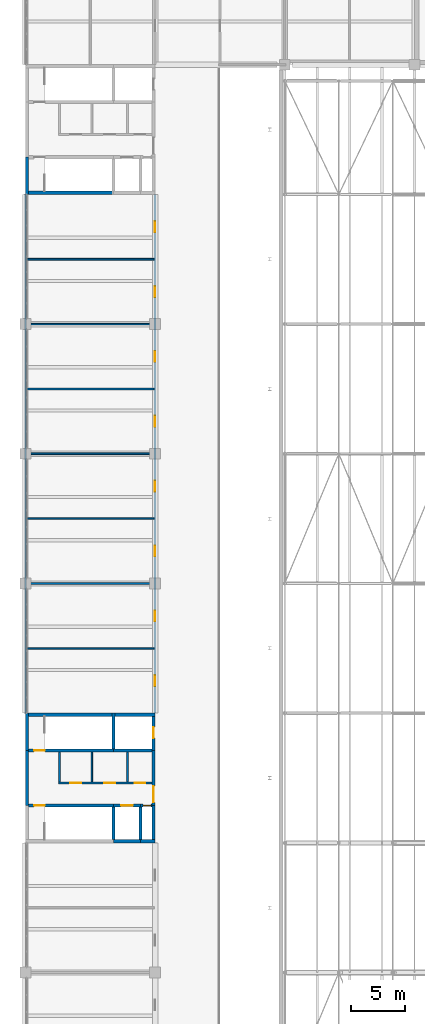
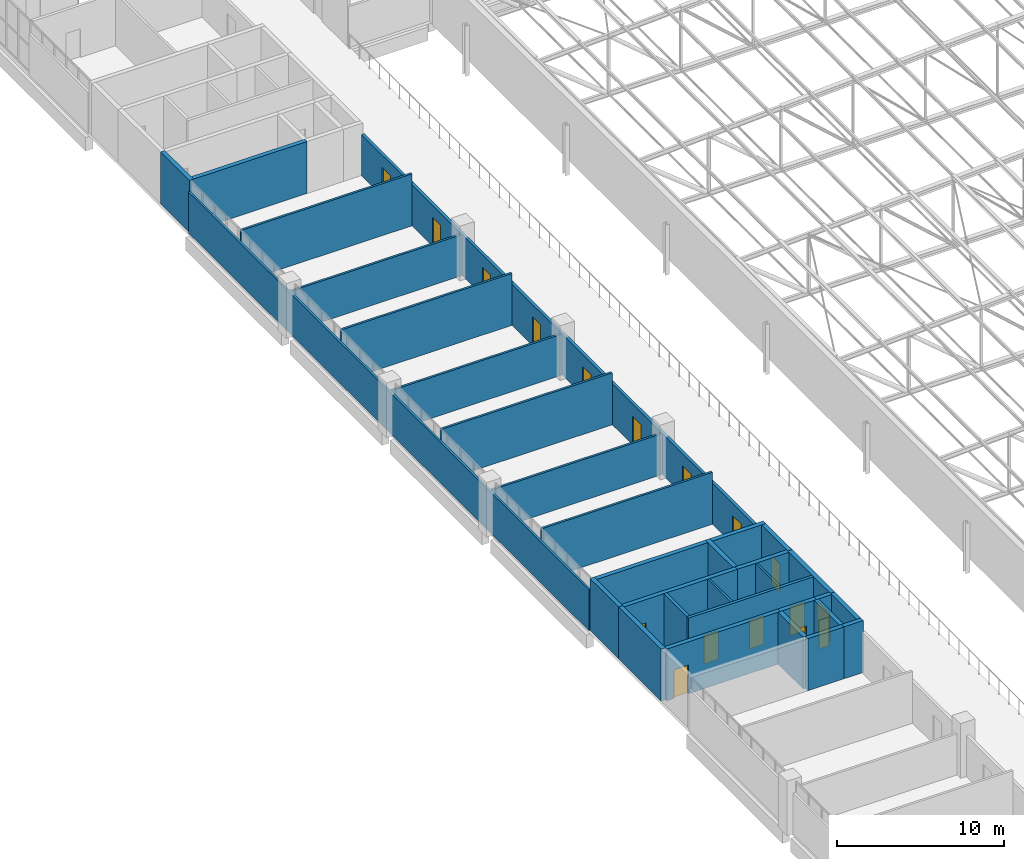
# One storey, part 146 of 156: 32 walls, 17 doors, 17 openings.
"""IFC4 building model written with IfcOpenShell, lengths in metres."""

import ifcopenshell
import ifcopenshell.guid

model = None  # the IFC model being written
_history = None  # IfcOwnerHistory: only IFC2X3 demands one
_inside = {}  # id of a spatial element -> (the spatial element, [elements in it])
_under = {}  # id of a project, library or spatial element -> (it, [spatial elements below it])
_declared = {}  # id of a project -> (the project, [libraries it declares])
_typed = {}  # id of a type object -> (the type object, [elements of that type])
_made_of = {}  # id of a material, layer set ... -> (it, [elements and type objects made of it])


def new_model(schema):
    """Start an empty IFC model of exactly this schema.

    Asked for "IFC4X3", IfcOpenShell would pick the latest addendum, in which some entities
    have other attributes; the version numbers below select the first issue.
    IFC2X3 requires an IfcOwnerHistory on every rooted entity: one is made here for all.
    """
    global model, _history
    if schema == "IFC4X3":
        model = ifcopenshell.file(schema_version=(4, 3, 0, 0))
    else:
        model = ifcopenshell.file(schema=schema)
    _inside.clear()
    _under.clear()
    _declared.clear()
    _typed.clear()
    _made_of.clear()
    _history = None
    if model.schema == "IFC2X3":
        org = make("IfcOrganization", Name="unknown")
        user = make(
            "IfcPersonAndOrganization",
            ThePerson=make("IfcPerson", FamilyName="unknown"),
            TheOrganization=org,
        )
        app = make(
            "IfcApplication",
            ApplicationDeveloper=org,
            Version="unknown",
            ApplicationFullName="unknown",
            ApplicationIdentifier="unknown",
        )
        _history = make(
            "IfcOwnerHistory",
            OwningUser=user,
            OwningApplication=app,
            ChangeAction="ADDED",
            CreationDate=0,
        )
    return model


def make(cls, **values):
    """One entity of the class cls with the attributes given. An attribute that is None is left unset."""
    return model.create_entity(
        cls, **{name: value for name, value in values.items() if value is not None}
    )


def rooted(cls, **values):
    """An entity with a GlobalId (a new one), such as an element, a storey or a relation."""
    return make(cls, GlobalId=ifcopenshell.guid.new(), OwnerHistory=_history, **values)


def si_unit(unit_type, name, prefix=None):
    """IfcSIUnit, for example si_unit("LENGTHUNIT", "METRE", prefix="MILLI")."""
    return make("IfcSIUnit", UnitType=unit_type, Prefix=prefix, Name=name)


def assignment(units):
    """IfcUnitAssignment: the units of a project."""
    return None if units is None else make("IfcUnitAssignment", Units=units)


def point(xyz):
    """IfcCartesianPoint."""
    return None if xyz is None else make("IfcCartesianPoint", Coordinates=xyz)


def direction(xyz):
    """IfcDirection."""
    return None if xyz is None else make("IfcDirection", DirectionRatios=xyz)


def frame(location, z_axis=None, x_axis=None):
    """IfcAxis2Placement3D, a coordinate frame: its origin and axes. An axis left out is left unset."""
    return make(
        "IfcAxis2Placement3D",
        Location=point(location),
        Axis=direction(z_axis),
        RefDirection=direction(x_axis),
    )


def frame_2d(location, x_axis=None):
    """IfcAxis2Placement2D, a coordinate frame in the plane: its origin and x axis."""
    return make(
        "IfcAxis2Placement2D", Location=point(location), RefDirection=direction(x_axis)
    )


def origin():
    """The frame at (0, 0, 0) with its axes left unset."""
    return frame((0.0, 0.0, 0.0))


def place(relative_to, where):
    """IfcLocalPlacement: puts the frame where relative to a parent placement (None: the world)."""
    return make(
        "IfcLocalPlacement", PlacementRelTo=relative_to, RelativePlacement=where
    )


def context(
    kind, dimensions, precision=None, world=None, true_north=None, identifier=None
):
    """IfcGeometricRepresentationContext, for example the 3D "Model" context."""
    return make(
        "IfcGeometricRepresentationContext",
        ContextIdentifier=identifier,
        ContextType=kind,
        CoordinateSpaceDimension=dimensions,
        Precision=precision,
        WorldCoordinateSystem=world,
        TrueNorth=true_north,
    )


def subcontext(parent, identifier, kind, view, scale=None):
    """IfcGeometricRepresentationSubContext, for example "Body" below "Model"."""
    return make(
        "IfcGeometricRepresentationSubContext",
        ContextIdentifier=identifier,
        ContextType=kind,
        ParentContext=parent,
        TargetScale=scale,
        TargetView=view,
    )


def project(units=None, contexts=None):
    """IfcProject with its units and contexts."""
    return rooted(
        "IfcProject",
        Name="project",
        RepresentationContexts=contexts,
        UnitsInContext=assignment(units),
    )


def spatial(cls, under=None, at=None, **own):
    """A site, building, storey or space (cls), placed at a placement, below another one or the project."""
    s = rooted(cls, ObjectPlacement=at, **own)
    if under is not None:
        _under.setdefault(under.id(), (under, []))[1].append(s)
    return s


def profile(cls, at=None, kind="AREA", **sizes):
    """A parametric profile (cls). Its sizes go by their IFC names, for example OverallWidth=200.0."""
    return make(cls, ProfileType=kind, Position=at, **sizes)


def rectangle(**sizes):
    """IfcRectangleProfileDef."""
    return profile("IfcRectangleProfileDef", **sizes)


def extrude(swept, where, along, depth):
    """IfcExtrudedAreaSolid: the profile swept, set in the frame where, extruded along a direction by depth."""
    return make(
        "IfcExtrudedAreaSolid",
        SweptArea=swept,
        Position=where,
        ExtrudedDirection=direction(along),
        Depth=depth,
    )


def shape(context_of_items, identifier, shape_type, items):
    """IfcShapeRepresentation: the items that make up one representation, for example the "Body"."""
    return make(
        "IfcShapeRepresentation",
        ContextOfItems=context_of_items,
        RepresentationIdentifier=identifier,
        RepresentationType=shape_type,
        Items=items,
    )


def material(Name=None, Category=None):
    """IfcMaterial."""
    return make("IfcMaterial", Name=Name, Category=Category)


def layer(
    of_material, thickness, ventilated=None, Name=None, Category=None, Priority=None
):
    """IfcMaterialLayer: one layer of a wall or slab, of a material (None: an air gap)."""
    return make(
        "IfcMaterialLayer",
        Material=of_material,
        LayerThickness=thickness,
        IsVentilated=ventilated,
        Name=Name,
        Category=Category,
        Priority=Priority,
    )


def layer_set(layers, Name=None):
    """IfcMaterialLayerSet."""
    return make("IfcMaterialLayerSet", MaterialLayers=layers, LayerSetName=Name)


def made_of(thing, what):
    """Note that an element or type object is made of a material, layer set ...; save() writes the relation."""
    if what is not None:
        _made_of.setdefault(what.id(), (what, []))[1].append(thing)
    return thing


def type_object(cls, material=None, **own):
    """A type object (cls), such as IfcWallType, which elements share."""
    return made_of(rooted(cls, **own), material)


def element(
    cls,
    number,
    at=None,
    inside=None,
    cuts=None,
    type_object=None,
    material=None,
    context=None,
    identifier="Body",
    shape_type=None,
    held_by="IfcProductDefinitionShape",
    body=None,
    shapes=None,
    **own,
):
    """One element of the class cls, such as IfcWall. Its Tag is "e" and its number.

    at: its placement. inside: the storey or other place that contains it. cuts: it is an
    opening in that element (IfcRelVoidsElement). A single representation is given by context,
    identifier, shape_type and body (its items); several are given by shapes. held_by: the class
    of the entity that holds the representations. save() writes the other relations.
    """
    e = rooted(cls, Tag="e%d" % number, ObjectPlacement=at, **own)
    if body is not None:
        shapes = [shape(context, identifier, shape_type, body)]
    if shapes is not None:
        e.Representation = make(held_by, Representations=shapes)
    if inside is not None:
        _inside.setdefault(inside.id(), (inside, []))[1].append(e)
    if cuts is not None:
        rooted(
            "IfcRelVoidsElement", RelatingBuildingElement=cuts, RelatedOpeningElement=e
        )
    if type_object is not None:
        _typed.setdefault(type_object.id(), (type_object, []))[1].append(e)
    return made_of(e, material)


def fill(opening, filler):
    """IfcRelFillsElement: the door or window that sits in an opening."""
    return rooted(
        "IfcRelFillsElement",
        RelatingOpeningElement=opening,
        RelatedBuildingElement=filler,
    )


def aggregate(whole, parts):
    """IfcRelAggregates: a whole, such as a stair, and the parts it consists of."""
    return rooted("IfcRelAggregates", RelatingObject=whole, RelatedObjects=parts)


def save(model, path):
    """Write the relations noted so far, then the file.

    IfcRelAggregates (storeys below a building ...), IfcRelContainedInSpatialStructure (elements
    in a storey), IfcRelDefinesByType, IfcRelAssociatesMaterial and IfcRelDeclares: one each for
    every whole, place, type object, material and project.
    """
    for whole, parts in _under.values():
        aggregate(whole, parts)
    for where, things in _inside.values():
        rooted(
            "IfcRelContainedInSpatialStructure",
            RelatedElements=things,
            RelatingStructure=where,
        )
    for kind, things in _typed.values():
        rooted("IfcRelDefinesByType", RelatedObjects=things, RelatingType=kind)
    for what, things in _made_of.values():
        rooted("IfcRelAssociatesMaterial", RelatedObjects=things, RelatingMaterial=what)
    for by, libraries in _declared.values():
        rooted("IfcRelDeclares", RelatingContext=by, RelatedDefinitions=libraries)
    model.write(path)


model = new_model("IFC4")

# Units and contexts
model_context = context("Model", 3, precision=1e-05, world=origin(), true_north=direction((0.0, 1.0)))
body_context = subcontext(model_context, "Body", "Model", "MODEL_VIEW")
ifc_project = project(units=[si_unit("LENGTHUNIT", "METRE"), si_unit("AREAUNIT", "SQUARE_METRE"), si_unit("VOLUMEUNIT", "CUBIC_METRE"), si_unit("PLANEANGLEUNIT", "RADIAN"), si_unit("MASSUNIT", "GRAM", prefix="KILO")], contexts=[model_context])

# Site, building, storey
site_placement = place(None, origin())
site = spatial("IfcSite", under=ifc_project, at=site_placement, CompositionType="ELEMENT")
building_placement = place(site_placement, origin())
building = spatial("IfcBuilding", under=site, at=building_placement, Name="Lilac Gate Convention Centre", CompositionType="ELEMENT")
storey_placement = place(building_placement, frame((0.0, 0.0, 17.0)))
storey = spatial("IfcBuildingStorey", under=building, at=storey_placement, Name="L03", CompositionType="ELEMENT", Elevation=17.0)

# Walls
ifc_material_1 = material(Name="Fire-rated gypsum board on steel stud", Category="steel")
ifc_layer_1 = layer(ifc_material_1, 0.14990234375)
ifc_layer_set_1 = layer_set([ifc_layer_1], Name="Fire-rated gypsum board on steel stud")
wall_type_1 = type_object("IfcWallType", Name="Partition 150 fire-rated gypsum board EI 60", PredefinedType="PARTITIONING", material=ifc_layer_set_1)
wall_1_placement = place(storey_placement, frame((6.074951171875, 168.0, 0.0), z_axis=(0.0, 0.0, 1.0), x_axis=(1.0, 0.0, 0.0)))
element("IfcWall", 1, at=wall_1_placement, inside=storey, type_object=wall_type_1, Name="Partition 150 fire-rated gypsum board EI 60", PredefinedType="PARTITIONING", context=body_context, shape_type="SweptSolid", body=[
    extrude(rectangle(XDim=11.824951171875, YDim=0.14990234375, at=frame_2d((5.91259765625, 0.0))), origin(), (0.0, 0.0, 1.0), 3.800048828125),
])
wall_2_placement = place(storey_placement, frame((6.074951171875, 174.0, 0.0), z_axis=(0.0, 0.0, 1.0), x_axis=(1.0, 0.0, 0.0)))
element("IfcWall", 2, at=wall_2_placement, inside=storey, type_object=wall_type_1, Name="Partition 150 fire-rated gypsum board EI 60", PredefinedType="PARTITIONING", context=body_context, shape_type="SweptSolid", body=[
    extrude(rectangle(XDim=11.824951171875, YDim=0.14990234375, at=frame_2d((5.91259765625, 0.0))), origin(), (0.0, 0.0, 1.0), 3.0),
])
wall_3_placement = place(storey_placement, frame((6.074951171875, 180.0, 0.0), z_axis=(0.0, 0.0, 1.0), x_axis=(1.0, 0.0, 0.0)))
element("IfcWall", 3, at=wall_3_placement, inside=storey, type_object=wall_type_1, Name="Partition 150 fire-rated gypsum board EI 60", PredefinedType="PARTITIONING", context=body_context, shape_type="SweptSolid", body=[
    extrude(rectangle(XDim=11.824951171875, YDim=0.14990234375, at=frame_2d((5.91259765625, 0.0))), origin(), (0.0, 0.0, 1.0), 3.800048828125),
])
wall_4_placement = place(storey_placement, frame((6.074951171875, 186.0, 0.0), z_axis=(0.0, 0.0, 1.0), x_axis=(1.0, 0.0, 0.0)))
element("IfcWall", 4, at=wall_4_placement, inside=storey, type_object=wall_type_1, Name="Partition 150 fire-rated gypsum board EI 60", PredefinedType="PARTITIONING", context=body_context, shape_type="SweptSolid", body=[
    extrude(rectangle(XDim=11.824951171875, YDim=0.14990234375, at=frame_2d((5.91259765625, 0.0))), origin(), (0.0, 0.0, 1.0), 3.0),
])
wall_5_placement = place(storey_placement, frame((6.074951171875, 192.0, 0.0), z_axis=(0.0, 0.0, 1.0), x_axis=(1.0, 0.0, 0.0)))
element("IfcWall", 5, at=wall_5_placement, inside=storey, type_object=wall_type_1, Name="Partition 150 fire-rated gypsum board EI 60", PredefinedType="PARTITIONING", context=body_context, shape_type="SweptSolid", body=[
    extrude(rectangle(XDim=11.824951171875, YDim=0.14990234375, at=frame_2d((5.91259765625, 0.0))), origin(), (0.0, 0.0, 1.0), 3.800048828125),
])
wall_6_placement = place(storey_placement, frame((6.074951171875, 198.0, 0.0), z_axis=(0.0, 0.0, 1.0), x_axis=(1.0, 0.0, 0.0)))
element("IfcWall", 6, at=wall_6_placement, inside=storey, type_object=wall_type_1, Name="Partition 150 fire-rated gypsum board EI 60", PredefinedType="PARTITIONING", context=body_context, shape_type="SweptSolid", body=[
    extrude(rectangle(XDim=11.824951171875, YDim=0.14990234375, at=frame_2d((5.91259765625, 0.0))), origin(), (0.0, 0.0, 1.0), 3.0),
])
wall_7_placement = place(storey_placement, frame((6.074951171875, 204.0, 0.0), z_axis=(0.0, 0.0, 1.0), x_axis=(1.0, 0.0, 0.0)))
element("IfcWall", 7, at=wall_7_placement, inside=storey, type_object=wall_type_1, Name="Partition 150 fire-rated gypsum board EI 60", PredefinedType="PARTITIONING", context=body_context, shape_type="SweptSolid", body=[
    extrude(rectangle(XDim=11.824951171875, YDim=0.14990234375, at=frame_2d((5.91259765625, 0.0))), origin(), (0.0, 0.0, 1.0), 3.800048828125),
])
wall_8_placement = place(storey_placement, frame((6.0, 162.0, 0.0), z_axis=(0.0, 0.0, 1.0), x_axis=(0.0, 1.0, 0.0)))
element("IfcWall", 8, at=wall_8_placement, inside=storey, type_object=wall_type_1, Name="Partition 150 fire-rated gypsum board EI 60", PredefinedType="PARTITIONING", context=body_context, shape_type="SweptSolid", body=[
    extrude(rectangle(XDim=48.0, YDim=0.14990234375, at=frame_2d((24.0, 0.0))), origin(), (0.0, 0.0, 1.0), 3.0),
])
for number, where, z_axis, x_axis, name in (
    (9, (12.14990234375, 155.64990234375, 0.0), (0.0, 0.0, 1.0), (0.0, 1.0, 0.0), "Partition 150 fire-rated gypsum board EI 60"),
    (10, (15.449951171875, 155.64990234375, 0.0), (0.0, 0.0, 1.0), (0.0, 1.0, 0.0), "Partition 150 fire-rated gypsum board EI 60"),
):
    element("IfcWall", number, at=place(storey_placement, frame(where, z_axis=z_axis, x_axis=x_axis)), inside=storey, type_object=wall_type_1, Name=name, PredefinedType="PARTITIONING", context=body_context, shape_type="SweptSolid", body=[
        extrude(rectangle(XDim=2.75, YDim=0.14990234375, at=frame_2d((1.375, 0.0))), origin(), (0.0, 0.0, 1.0), 3.800048828125),
    ])

# Wall, openings, doors
ifc_material_2 = material(Name="Clay brick masonry", Category="masonry")
ifc_layer_2 = layer(ifc_material_2, 0.199951171875)
ifc_layer_set_2 = layer_set([ifc_layer_2], Name="Clay brick masonry")
wall_type_2 = type_object("IfcWallType", Name="Partition 200 brick EI 60", PredefinedType="PARTITIONING", material=ifc_layer_set_2)
wall_9_placement = place(storey_placement, frame((9.050048828125, 155.550048828125, 0.0), z_axis=(0.0, 0.0, 1.0), x_axis=(1.0, 0.0, 0.0)))
wall_9 = element("IfcWall", 11, at=wall_9_placement, inside=storey, type_object=wall_type_2, Name="Partition 200 brick EI 60", PredefinedType="PARTITIONING", context=body_context, shape_type="SweptSolid", body=[
    extrude(rectangle(XDim=8.64990234375, YDim=0.199951171875, at=frame_2d((4.324951171875, 0.0))), origin(), (0.0, 0.0, 1.0), 3.800048828125),
])
opening_1_placement = place(wall_9_placement, frame((1.10009765625, 0.0, 0.0)))
opening_1 = element("IfcOpeningElement", 12, at=opening_1_placement, cuts=wall_9, Name="Opening L03-036", PredefinedType="OPENING", context=body_context, shape_type="SweptSolid", body=[
    extrude(rectangle(XDim=1.0, YDim=2.10009765625, at=frame_2d((0.5, 1.050048828125))), frame((0.0, 0.10986328125, 0.0), z_axis=(0.0, -1.0, 0.0), x_axis=(1.0, 0.0, 0.0)), (0.0, 0.0, 1.0), 0.219970703125),
])
opening_2_placement = place(wall_9_placement, frame((4.25, 0.0, 0.0)))
opening_2 = element("IfcOpeningElement", 13, at=opening_2_placement, cuts=wall_9, Name="Opening L03-037", PredefinedType="OPENING", context=body_context, shape_type="SweptSolid", body=[
    extrude(rectangle(XDim=1.0, YDim=2.10009765625, at=frame_2d((0.5, 1.050048828125))), frame((0.0, 0.10986328125, 0.0), z_axis=(0.0, -1.0, 0.0), x_axis=(1.0, 0.0, 0.0)), (0.0, 0.0, 1.0), 0.219970703125),
])
opening_3_placement = place(wall_9_placement, frame((7.050048828125, 0.0, 0.0)))
opening_3 = element("IfcOpeningElement", 14, at=opening_3_placement, cuts=wall_9, Name="Opening L03-038", PredefinedType="OPENING", context=body_context, shape_type="SweptSolid", body=[
    extrude(rectangle(XDim=1.0, YDim=2.10009765625, at=frame_2d((0.5, 1.050048828125))), frame((0.0, 0.10986328125, 0.0), z_axis=(0.0, -1.0, 0.0), x_axis=(1.0, 0.0, 0.0)), (0.0, 0.0, 1.0), 0.219970703125),
])
ifc_material_3 = material(Name="Timber fire door leaf", Category="wood")
door_type_1 = type_object("IfcDoorType", Name="Door 1000 x 2100 single leaf FD30", OperationType="SINGLE_SWING_LEFT", PredefinedType="DOOR", material=ifc_material_3)
door_1_placement = place(opening_1_placement, origin())
door_1 = element("IfcDoor", 15, at=door_1_placement, inside=storey, type_object=door_type_1, Name="WC door L03-036", OperationType="SINGLE_SWING_RIGHT", OverallHeight=2.10009765625, OverallWidth=1.0, PredefinedType="DOOR", context=body_context, shape_type="SweptSolid", body=[
    extrude(rectangle(XDim=1.0, YDim=2.10009765625, at=frame_2d((0.5, 1.050048828125))), frame((0.0, 0.02490234375, 0.0), z_axis=(0.0, -1.0, 0.0), x_axis=(1.0, 0.0, 0.0)), (0.0, 0.0, 1.0), 0.050048828125),
])
fill(opening_1, door_1)
door_2_placement = place(opening_2_placement, origin())
door_2 = element("IfcDoor", 16, at=door_2_placement, inside=storey, type_object=door_type_1, Name="WC door L03-037", OperationType="SINGLE_SWING_LEFT", OverallHeight=2.10009765625, OverallWidth=1.0, PredefinedType="DOOR", context=body_context, shape_type="SweptSolid", body=[
    extrude(rectangle(XDim=1.0, YDim=2.10009765625, at=frame_2d((0.5, 1.050048828125))), frame((0.0, 0.02490234375, 0.0), z_axis=(0.0, -1.0, 0.0), x_axis=(1.0, 0.0, 0.0)), (0.0, 0.0, 1.0), 0.050048828125),
])
fill(opening_2, door_2)
door_3_placement = place(opening_3_placement, origin())
door_3 = element("IfcDoor", 17, at=door_3_placement, inside=storey, type_object=door_type_1, Name="Accessible WC door L03-038", OperationType="SINGLE_SWING_LEFT", OverallHeight=2.10009765625, OverallWidth=1.0, PredefinedType="DOOR", context=body_context, shape_type="SweptSolid", body=[
    extrude(rectangle(XDim=1.0, YDim=2.10009765625, at=frame_2d((0.5, 1.050048828125))), frame((0.0, 0.02490234375, 0.0), z_axis=(0.0, -1.0, 0.0), x_axis=(1.0, 0.0, 0.0)), (0.0, 0.0, 1.0), 0.050048828125),
])
fill(opening_3, door_3)

# Wall
wall_10_placement = place(storey_placement, frame((9.14990234375, 155.64990234375, 0.0), z_axis=(0.0, 0.0, 1.0), x_axis=(0.0, 1.0, 0.0)))
element("IfcWall", 18, at=wall_10_placement, inside=storey, type_object=wall_type_2, Name="Partition 200 brick EI 60", PredefinedType="PARTITIONING", context=body_context, shape_type="SweptSolid", body=[
    extrude(rectangle(XDim=2.75, YDim=0.199951171875, at=frame_2d((1.375, 0.0))), origin(), (0.0, 0.0, 1.0), 3.800048828125),
])

# Wall, openings, doors
wall_11_placement = place(storey_placement, frame((18.0, 162.0, 0.0), z_axis=(0.0, 0.0, 1.0), x_axis=(0.0, 1.0, 0.0)))
wall_11 = element("IfcWall", 19, at=wall_11_placement, inside=storey, type_object=wall_type_2, Name="Partition 200 brick EI 60", PredefinedType="PARTITIONING", context=body_context, shape_type="SweptSolid", body=[
    extrude(rectangle(XDim=48.0, YDim=0.199951171875, at=frame_2d((24.0, 0.0))), origin(), (0.0, 0.0, 1.0), 3.0),
])
opening_4_placement = place(wall_11_placement, frame((2.5, 0.0, 0.0)))
opening_4 = element("IfcOpeningElement", 20, at=opening_4_placement, cuts=wall_11, Name="Opening L03-041", PredefinedType="OPENING", context=body_context, shape_type="SweptSolid", body=[
    extrude(rectangle(XDim=1.0, YDim=2.10009765625, at=frame_2d((0.5, 1.050048828125))), frame((0.0, 0.10986328125, 0.0), z_axis=(0.0, -1.0, 0.0), x_axis=(1.0, 0.0, 0.0)), (0.0, 0.0, 1.0), 0.219970703125),
])
opening_5_placement = place(wall_11_placement, frame((8.5, 0.0, 0.0)))
opening_5 = element("IfcOpeningElement", 21, at=opening_5_placement, cuts=wall_11, Name="Opening L03-042", PredefinedType="OPENING", context=body_context, shape_type="SweptSolid", body=[
    extrude(rectangle(XDim=1.0, YDim=2.10009765625, at=frame_2d((0.5, 1.050048828125))), frame((0.0, 0.10986328125, 0.0), z_axis=(0.0, -1.0, 0.0), x_axis=(1.0, 0.0, 0.0)), (0.0, 0.0, 1.0), 0.219970703125),
])
opening_6_placement = place(wall_11_placement, frame((14.5, 0.0, 0.0)))
opening_6 = element("IfcOpeningElement", 22, at=opening_6_placement, cuts=wall_11, Name="Opening L03-043", PredefinedType="OPENING", context=body_context, shape_type="SweptSolid", body=[
    extrude(rectangle(XDim=1.0, YDim=2.10009765625, at=frame_2d((0.5, 1.050048828125))), frame((0.0, 0.10986328125, 0.0), z_axis=(0.0, -1.0, 0.0), x_axis=(1.0, 0.0, 0.0)), (0.0, 0.0, 1.0), 0.219970703125),
])
opening_7_placement = place(wall_11_placement, frame((20.5, 0.0, 0.0)))
opening_7 = element("IfcOpeningElement", 23, at=opening_7_placement, cuts=wall_11, Name="Opening L03-044", PredefinedType="OPENING", context=body_context, shape_type="SweptSolid", body=[
    extrude(rectangle(XDim=1.0, YDim=2.10009765625, at=frame_2d((0.5, 1.050048828125))), frame((0.0, 0.10986328125, 0.0), z_axis=(0.0, -1.0, 0.0), x_axis=(1.0, 0.0, 0.0)), (0.0, 0.0, 1.0), 0.219970703125),
])
opening_8_placement = place(wall_11_placement, frame((26.5, 0.0, 0.0)))
opening_8 = element("IfcOpeningElement", 24, at=opening_8_placement, cuts=wall_11, Name="Opening L03-045", PredefinedType="OPENING", context=body_context, shape_type="SweptSolid", body=[
    extrude(rectangle(XDim=1.0, YDim=2.10009765625, at=frame_2d((0.5, 1.050048828125))), frame((0.0, 0.10986328125, 0.0), z_axis=(0.0, -1.0, 0.0), x_axis=(1.0, 0.0, 0.0)), (0.0, 0.0, 1.0), 0.219970703125),
])
opening_9_placement = place(wall_11_placement, frame((32.5, 0.0, 0.0)))
opening_9 = element("IfcOpeningElement", 25, at=opening_9_placement, cuts=wall_11, Name="Opening L03-046", PredefinedType="OPENING", context=body_context, shape_type="SweptSolid", body=[
    extrude(rectangle(XDim=1.0, YDim=2.10009765625, at=frame_2d((0.5, 1.050048828125))), frame((0.0, 0.10986328125, 0.0), z_axis=(0.0, -1.0, 0.0), x_axis=(1.0, 0.0, 0.0)), (0.0, 0.0, 1.0), 0.219970703125),
])
opening_10_placement = place(wall_11_placement, frame((38.5, 0.0, 0.0)))
opening_10 = element("IfcOpeningElement", 26, at=opening_10_placement, cuts=wall_11, Name="Opening L03-047", PredefinedType="OPENING", context=body_context, shape_type="SweptSolid", body=[
    extrude(rectangle(XDim=1.0, YDim=2.10009765625, at=frame_2d((0.5, 1.050048828125))), frame((0.0, 0.10986328125, 0.0), z_axis=(0.0, -1.0, 0.0), x_axis=(1.0, 0.0, 0.0)), (0.0, 0.0, 1.0), 0.219970703125),
])
opening_11_placement = place(wall_11_placement, frame((44.5, 0.0, 0.0)))
opening_11 = element("IfcOpeningElement", 27, at=opening_11_placement, cuts=wall_11, Name="Opening L03-048", PredefinedType="OPENING", context=body_context, shape_type="SweptSolid", body=[
    extrude(rectangle(XDim=1.0, YDim=2.10009765625, at=frame_2d((0.5, 1.050048828125))), frame((0.0, 0.10986328125, 0.0), z_axis=(0.0, -1.0, 0.0), x_axis=(1.0, 0.0, 0.0)), (0.0, 0.0, 1.0), 0.219970703125),
])
door_4_placement = place(opening_4_placement, origin())
door_4 = element("IfcDoor", 28, at=door_4_placement, inside=storey, type_object=door_type_1, Name="Meeting room door L03-041", OperationType="SINGLE_SWING_RIGHT", OverallHeight=2.10009765625, OverallWidth=1.0, PredefinedType="DOOR", context=body_context, shape_type="SweptSolid", body=[
    extrude(rectangle(XDim=1.0, YDim=2.10009765625, at=frame_2d((0.5, 1.050048828125))), frame((0.0, 0.02490234375, 0.0), z_axis=(0.0, -1.0, 0.0), x_axis=(1.0, 0.0, 0.0)), (0.0, 0.0, 1.0), 0.050048828125),
])
fill(opening_4, door_4)
door_5_placement = place(opening_5_placement, origin())
door_5 = element("IfcDoor", 29, at=door_5_placement, inside=storey, type_object=door_type_1, Name="Meeting room door L03-042", OperationType="SINGLE_SWING_RIGHT", OverallHeight=2.10009765625, OverallWidth=1.0, PredefinedType="DOOR", context=body_context, shape_type="SweptSolid", body=[
    extrude(rectangle(XDim=1.0, YDim=2.10009765625, at=frame_2d((0.5, 1.050048828125))), frame((0.0, 0.02490234375, 0.0), z_axis=(0.0, -1.0, 0.0), x_axis=(1.0, 0.0, 0.0)), (0.0, 0.0, 1.0), 0.050048828125),
])
fill(opening_5, door_5)
door_6_placement = place(opening_6_placement, origin())
door_6 = element("IfcDoor", 30, at=door_6_placement, inside=storey, type_object=door_type_1, Name="Meeting room door L03-043", OperationType="SINGLE_SWING_RIGHT", OverallHeight=2.10009765625, OverallWidth=1.0, PredefinedType="DOOR", context=body_context, shape_type="SweptSolid", body=[
    extrude(rectangle(XDim=1.0, YDim=2.10009765625, at=frame_2d((0.5, 1.050048828125))), frame((0.0, 0.02490234375, 0.0), z_axis=(0.0, -1.0, 0.0), x_axis=(1.0, 0.0, 0.0)), (0.0, 0.0, 1.0), 0.050048828125),
])
fill(opening_6, door_6)
door_7_placement = place(opening_7_placement, origin())
door_7 = element("IfcDoor", 31, at=door_7_placement, inside=storey, type_object=door_type_1, Name="Meeting room door L03-044", OperationType="SINGLE_SWING_RIGHT", OverallHeight=2.10009765625, OverallWidth=1.0, PredefinedType="DOOR", context=body_context, shape_type="SweptSolid", body=[
    extrude(rectangle(XDim=1.0, YDim=2.10009765625, at=frame_2d((0.5, 1.050048828125))), frame((0.0, 0.02490234375, 0.0), z_axis=(0.0, -1.0, 0.0), x_axis=(1.0, 0.0, 0.0)), (0.0, 0.0, 1.0), 0.050048828125),
])
fill(opening_7, door_7)
door_8_placement = place(opening_8_placement, origin())
door_8 = element("IfcDoor", 32, at=door_8_placement, inside=storey, type_object=door_type_1, Name="Meeting room door L03-045", OperationType="SINGLE_SWING_RIGHT", OverallHeight=2.10009765625, OverallWidth=1.0, PredefinedType="DOOR", context=body_context, shape_type="SweptSolid", body=[
    extrude(rectangle(XDim=1.0, YDim=2.10009765625, at=frame_2d((0.5, 1.050048828125))), frame((0.0, 0.02490234375, 0.0), z_axis=(0.0, -1.0, 0.0), x_axis=(1.0, 0.0, 0.0)), (0.0, 0.0, 1.0), 0.050048828125),
])
fill(opening_8, door_8)
door_9_placement = place(opening_9_placement, origin())
door_9 = element("IfcDoor", 33, at=door_9_placement, inside=storey, type_object=door_type_1, Name="Meeting room door L03-046", OperationType="SINGLE_SWING_RIGHT", OverallHeight=2.10009765625, OverallWidth=1.0, PredefinedType="DOOR", context=body_context, shape_type="SweptSolid", body=[
    extrude(rectangle(XDim=1.0, YDim=2.10009765625, at=frame_2d((0.5, 1.050048828125))), frame((0.0, 0.02490234375, 0.0), z_axis=(0.0, -1.0, 0.0), x_axis=(1.0, 0.0, 0.0)), (0.0, 0.0, 1.0), 0.050048828125),
])
fill(opening_9, door_9)
door_10_placement = place(opening_10_placement, origin())
door_10 = element("IfcDoor", 34, at=door_10_placement, inside=storey, type_object=door_type_1, Name="Meeting room door L03-047", OperationType="SINGLE_SWING_RIGHT", OverallHeight=2.10009765625, OverallWidth=1.0, PredefinedType="DOOR", context=body_context, shape_type="SweptSolid", body=[
    extrude(rectangle(XDim=1.0, YDim=2.10009765625, at=frame_2d((0.5, 1.050048828125))), frame((0.0, 0.02490234375, 0.0), z_axis=(0.0, -1.0, 0.0), x_axis=(1.0, 0.0, 0.0)), (0.0, 0.0, 1.0), 0.050048828125),
])
fill(opening_10, door_10)
door_11_placement = place(opening_11_placement, origin())
door_11 = element("IfcDoor", 35, at=door_11_placement, inside=storey, type_object=door_type_1, Name="Meeting room door L03-048", OperationType="SINGLE_SWING_RIGHT", OverallHeight=2.10009765625, OverallWidth=1.0, PredefinedType="DOOR", context=body_context, shape_type="SweptSolid", body=[
    extrude(rectangle(XDim=1.0, YDim=2.10009765625, at=frame_2d((0.5, 1.050048828125))), frame((0.0, 0.02490234375, 0.0), z_axis=(0.0, -1.0, 0.0), x_axis=(1.0, 0.0, 0.0)), (0.0, 0.0, 1.0), 0.050048828125),
])
fill(opening_11, door_11)

# Walls
ifc_material_4 = material(Name="Concrete C40", Category="concrete")
ifc_layer_3 = layer(ifc_material_4, 0.300048828125)
ifc_layer_set_3 = layer_set([ifc_layer_3], Name="Concrete C40")
wall_type_3 = type_object("IfcWallType", Name="Shear wall 300 C40", PredefinedType="SHEAR", material=ifc_layer_set_3)
wall_12_placement = place(storey_placement, frame((14.14990234375, 150.14990234375, 0.0), z_axis=(0.0, 0.0, 1.0), x_axis=(1.0, 0.0, 0.0)))
element("IfcWall", 36, at=wall_12_placement, inside=storey, type_object=wall_type_3, Name="SW1 shear wall W3 L03 2", PredefinedType="SHEAR", context=body_context, shape_type="SweptSolid", body=[
    extrude(rectangle(XDim=2.5, YDim=0.300048828125, at=frame_2d((1.25, 0.0))), origin(), (0.0, 0.0, 1.0), 3.800048828125),
])
wall_13_placement = place(storey_placement, frame((16.64990234375, 150.14990234375, 0.0), z_axis=(0.0, 0.0, 1.0), x_axis=(1.0, 0.0, 0.0)))
element("IfcWall", 37, at=wall_13_placement, inside=storey, type_object=wall_type_3, Name="SW1 shear wall W3 L03 3", PredefinedType="SHEAR", context=body_context, shape_type="SweptSolid", body=[
    extrude(rectangle(XDim=1.35009765625, YDim=0.300048828125, at=frame_2d((0.675048828125, 0.0))), origin(), (0.0, 0.0, 1.0), 3.800048828125),
])
wall_14_placement = place(storey_placement, frame((6.0, 161.85009765625, 0.0), z_axis=(0.0, 0.0, 1.0), x_axis=(1.0, 0.0, 0.0)))
element("IfcWall", 38, at=wall_14_placement, inside=storey, type_object=wall_type_3, Name="SW1 shear wall W3 L03 4", PredefinedType="SHEAR", context=body_context, shape_type="SweptSolid", body=[
    extrude(rectangle(XDim=8.14990234375, YDim=0.300048828125, at=frame_2d((4.074951171875, 0.0))), origin(), (0.0, 0.0, 1.0), 3.800048828125),
])
wall_15_placement = place(storey_placement, frame((14.14990234375, 161.85009765625, 0.0), z_axis=(0.0, 0.0, 1.0), x_axis=(1.0, 0.0, 0.0)))
element("IfcWall", 39, at=wall_15_placement, inside=storey, type_object=wall_type_3, Name="SW1 shear wall W3 L03 5", PredefinedType="SHEAR", context=body_context, shape_type="SweptSolid", body=[
    extrude(rectangle(XDim=3.85009765625, YDim=0.300048828125, at=frame_2d((1.925048828125, 0.0))), origin(), (0.0, 0.0, 1.0), 3.800048828125),
])

# Wall, opening, door
wall_16_placement = place(storey_placement, frame((6.300048828125, 153.449951171875, 0.0), z_axis=(0.0, 0.0, 1.0), x_axis=(1.0, 0.0, 0.0)))
wall_16 = element("IfcWall", 40, at=wall_16_placement, inside=storey, type_object=wall_type_3, Name="SW1 shear wall W3 L03 6", PredefinedType="SHEAR", context=body_context, shape_type="SweptSolid", body=[
    extrude(rectangle(XDim=7.849853515625, YDim=0.300048828125, at=frame_2d((3.9248046875, 0.0))), origin(), (0.0, 0.0, 1.0), 3.800048828125),
])
opening_12_placement = place(wall_16_placement, frame((0.5, 0.0, 0.0)))
opening_12 = element("IfcOpeningElement", 41, at=opening_12_placement, cuts=wall_16, Name="Opening L03-033", PredefinedType="OPENING", context=body_context, shape_type="SweptSolid", body=[
    extrude(rectangle(XDim=1.0, YDim=2.10009765625, at=frame_2d((0.5, 1.050048828125))), frame((0.0, 0.159912109375, 0.0), z_axis=(0.0, -1.0, 0.0), x_axis=(1.0, 0.0, 0.0)), (0.0, 0.0, 1.0), 0.320068359375),
])
door_type_2 = type_object("IfcDoorType", Name="Door 1000 x 2100 single leaf FD60", OperationType="SINGLE_SWING_LEFT", PredefinedType="DOOR", material=ifc_material_3)
door_12_placement = place(opening_12_placement, frame((1.0, 0.0, 0.0), z_axis=(0.0, 0.0, 1.0), x_axis=(-1.0, 0.0, 0.0)))
door_12 = element("IfcDoor", 42, at=door_12_placement, inside=storey, type_object=door_type_2, Name="Stair door L03-033", OperationType="SINGLE_SWING_LEFT", OverallHeight=2.10009765625, OverallWidth=1.0, PredefinedType="DOOR", context=body_context, shape_type="SweptSolid", body=[
    extrude(rectangle(XDim=1.0, YDim=2.10009765625, at=frame_2d((0.5, 1.050048828125))), frame((0.0, 0.02490234375, 0.0), z_axis=(0.0, -1.0, 0.0), x_axis=(1.0, 0.0, 0.0)), (0.0, 0.0, 1.0), 0.050048828125),
])
fill(opening_12, door_12)

wall_17_placement = place(storey_placement, frame((14.14990234375, 153.449951171875, 0.0), z_axis=(0.0, 0.0, 1.0), x_axis=(1.0, 0.0, 0.0)))
wall_17 = element("IfcWall", 43, at=wall_17_placement, inside=storey, type_object=wall_type_3, Name="SW1 shear wall W3 L03 7", PredefinedType="SHEAR", context=body_context, shape_type="SweptSolid", body=[
    extrude(rectangle(XDim=2.5, YDim=0.300048828125, at=frame_2d((1.25, 0.0))), origin(), (0.0, 0.0, 1.0), 3.800048828125),
])
opening_13_placement = place(wall_17_placement, frame((0.699951171875, 0.0, 0.0)))
opening_13 = element("IfcOpeningElement", 44, at=opening_13_placement, cuts=wall_17, Name="Opening LDW3-03", PredefinedType="OPENING", context=body_context, shape_type="SweptSolid", body=[
    extrude(rectangle(XDim=1.10009765625, YDim=2.10009765625, at=frame_2d((0.550048828125, 1.050048828125))), frame((0.0, 0.159912109375, 0.0), z_axis=(0.0, -1.0, 0.0), x_axis=(1.0, 0.0, 0.0)), (0.0, 0.0, 1.0), 0.320068359375),
])
ifc_material_5 = material(Name="Stainless steel 304", Category="steel")
door_type_3 = type_object("IfcDoorType", Name="Lift landing door 1100 x 2100", OperationType="SLIDING_TO_LEFT", PredefinedType="DOOR", material=ifc_material_5)
door_13_placement = place(opening_13_placement, origin())
door_13 = element("IfcDoor", 45, at=door_13_placement, inside=storey, type_object=door_type_3, Name="Lift landing door LDW3-03", OperationType="SLIDING_TO_LEFT", OverallHeight=2.10009765625, OverallWidth=1.10009765625, PredefinedType="DOOR", context=body_context, shape_type="SweptSolid", body=[
    extrude(rectangle(XDim=1.10009765625, YDim=2.10009765625, at=frame_2d((0.550048828125, 1.050048828125))), frame((0.0, 0.02490234375, 0.0), z_axis=(0.0, -1.0, 0.0), x_axis=(1.0, 0.0, 0.0)), (0.0, 0.0, 1.0), 0.050048828125),
])
fill(opening_13, door_13)

wall_18_placement = place(storey_placement, frame((16.64990234375, 153.449951171875, 0.0), z_axis=(0.0, 0.0, 1.0), x_axis=(1.0, 0.0, 0.0)))
wall_18 = element("IfcWall", 46, at=wall_18_placement, inside=storey, type_object=wall_type_3, Name="SW1 shear wall W3 L03 8", PredefinedType="SHEAR", context=body_context, shape_type="SweptSolid", body=[
    extrude(rectangle(XDim=1.050048828125, YDim=0.300048828125, at=frame_2d((0.52490234375, 0.0))), origin(), (0.0, 0.0, 1.0), 3.800048828125),
])
opening_14_placement = place(wall_18_placement, frame((0.25, 0.0, 0.0)))
opening_14 = element("IfcOpeningElement", 47, at=opening_14_placement, cuts=wall_18, Name="Opening L03-034", PredefinedType="OPENING", context=body_context, shape_type="SweptSolid", body=[
    extrude(rectangle(XDim=0.699951171875, YDim=2.10009765625, at=frame_2d((0.35009765625, 1.050048828125))), frame((0.0, 0.159912109375, 0.0), z_axis=(0.0, -1.0, 0.0), x_axis=(1.0, 0.0, 0.0)), (0.0, 0.0, 1.0), 0.320068359375),
])
door_type_4 = type_object("IfcDoorType", Name="Door 700 x 2100 single leaf FD30", OperationType="SINGLE_SWING_LEFT", PredefinedType="DOOR", material=ifc_material_3)
door_14_placement = place(opening_14_placement, frame((0.699951171875, 0.0, 0.0), z_axis=(0.0, 0.0, 1.0), x_axis=(-1.0, 0.0, 0.0)))
door_14 = element("IfcDoor", 48, at=door_14_placement, inside=storey, type_object=door_type_4, Name="Riser access door L03-034", OperationType="SINGLE_SWING_LEFT", OverallHeight=2.10009765625, OverallWidth=0.699951171875, PredefinedType="DOOR", context=body_context, shape_type="SweptSolid", body=[
    extrude(rectangle(XDim=0.699951171875, YDim=2.10009765625, at=frame_2d((0.35009765625, 1.050048828125))), frame((0.0, 0.02490234375, 0.0), z_axis=(0.0, -1.0, 0.0), x_axis=(1.0, 0.0, 0.0)), (0.0, 0.0, 1.0), 0.050048828125),
])
fill(opening_14, door_14)

wall_19_placement = place(storey_placement, frame((6.300048828125, 158.550048828125, 0.0), z_axis=(0.0, 0.0, 1.0), x_axis=(1.0, 0.0, 0.0)))
wall_19 = element("IfcWall", 49, at=wall_19_placement, inside=storey, type_object=wall_type_3, Name="SW1 shear wall W3 L03 9", PredefinedType="SHEAR", context=body_context, shape_type="SweptSolid", body=[
    extrude(rectangle(XDim=7.849853515625, YDim=0.300048828125, at=frame_2d((3.9248046875, 0.0))), origin(), (0.0, 0.0, 1.0), 3.800048828125),
])
opening_15_placement = place(wall_19_placement, frame((0.5, 0.0, 0.0)))
opening_15 = element("IfcOpeningElement", 50, at=opening_15_placement, cuts=wall_19, Name="Opening L03-039", PredefinedType="OPENING", context=body_context, shape_type="SweptSolid", body=[
    extrude(rectangle(XDim=1.0, YDim=2.10009765625, at=frame_2d((0.5, 1.050048828125))), frame((0.0, 0.159912109375, 0.0), z_axis=(0.0, -1.0, 0.0), x_axis=(1.0, 0.0, 0.0)), (0.0, 0.0, 1.0), 0.320068359375),
])
door_15_placement = place(opening_15_placement, origin())
door_15 = element("IfcDoor", 51, at=door_15_placement, inside=storey, type_object=door_type_2, Name="Stair door L03-039", OperationType="SINGLE_SWING_RIGHT", OverallHeight=2.10009765625, OverallWidth=1.0, PredefinedType="DOOR", context=body_context, shape_type="SweptSolid", body=[
    extrude(rectangle(XDim=1.0, YDim=2.10009765625, at=frame_2d((0.5, 1.050048828125))), frame((0.0, 0.02490234375, 0.0), z_axis=(0.0, -1.0, 0.0), x_axis=(1.0, 0.0, 0.0)), (0.0, 0.0, 1.0), 0.050048828125),
])
fill(opening_15, door_15)

# Walls
wall_20_placement = place(storey_placement, frame((14.14990234375, 158.550048828125, 0.0), z_axis=(0.0, 0.0, 1.0), x_axis=(1.0, 0.0, 0.0)))
element("IfcWall", 52, at=wall_20_placement, inside=storey, type_object=wall_type_3, Name="SW1 shear wall W3 L03 10", PredefinedType="SHEAR", context=body_context, shape_type="SweptSolid", body=[
    extrude(rectangle(XDim=3.550048828125, YDim=0.300048828125, at=frame_2d((1.77490234375, 0.0))), origin(), (0.0, 0.0, 1.0), 3.800048828125),
])
wall_21_placement = place(storey_placement, frame((6.14990234375, 153.449951171875, 0.0), z_axis=(0.0, 0.0, 1.0), x_axis=(0.0, 1.0, 0.0)))
element("IfcWall", 53, at=wall_21_placement, inside=storey, type_object=wall_type_3, Name="SW1 shear wall W3 L03 12", PredefinedType="SHEAR", context=body_context, shape_type="SweptSolid", body=[
    extrude(rectangle(XDim=5.10009765625, YDim=0.300048828125, at=frame_2d((2.550048828125, 0.0))), origin(), (0.0, 0.0, 1.0), 3.800048828125),
])
wall_22_placement = place(storey_placement, frame((6.14990234375, 158.550048828125, 0.0), z_axis=(0.0, 0.0, 1.0), x_axis=(0.0, 1.0, 0.0)))
element("IfcWall", 54, at=wall_22_placement, inside=storey, type_object=wall_type_3, Name="SW1 shear wall W3 L03 13", PredefinedType="SHEAR", context=body_context, shape_type="SweptSolid", body=[
    extrude(rectangle(XDim=3.449951171875, YDim=0.300048828125, at=frame_2d((1.72509765625, 0.0))), origin(), (0.0, 0.0, 1.0), 3.800048828125),
])
wall_23_placement = place(storey_placement, frame((17.85009765625, 150.300048828125, 0.0), z_axis=(0.0, 0.0, 1.0), x_axis=(0.0, 1.0, 0.0)))
element("IfcWall", 55, at=wall_23_placement, inside=storey, type_object=wall_type_3, Name="SW1 shear wall W3 L03 14", PredefinedType="SHEAR", context=body_context, shape_type="SweptSolid", body=[
    extrude(rectangle(XDim=3.14990234375, YDim=0.300048828125, at=frame_2d((1.574951171875, 0.0))), origin(), (0.0, 0.0, 1.0), 3.800048828125),
])

# Wall, opening, door
wall_24_placement = place(storey_placement, frame((17.85009765625, 153.449951171875, 0.0), z_axis=(0.0, 0.0, 1.0), x_axis=(0.0, 1.0, 0.0)))
wall_24 = element("IfcWall", 56, at=wall_24_placement, inside=storey, type_object=wall_type_3, Name="SW1 shear wall W3 L03 15", PredefinedType="SHEAR", context=body_context, shape_type="SweptSolid", body=[
    extrude(rectangle(XDim=5.10009765625, YDim=0.300048828125, at=frame_2d((2.550048828125, 0.0))), origin(), (0.0, 0.0, 1.0), 3.800048828125),
])
opening_16_placement = place(wall_24_placement, frame((0.300048828125, 0.0, 0.0)))
opening_16 = element("IfcOpeningElement", 57, at=opening_16_placement, cuts=wall_24, Name="Opening L03-035", PredefinedType="OPENING", context=body_context, shape_type="SweptSolid", body=[
    extrude(rectangle(XDim=1.5, YDim=2.10009765625, at=frame_2d((0.75, 1.050048828125))), frame((0.0, 0.159912109375, 0.0), z_axis=(0.0, -1.0, 0.0), x_axis=(1.0, 0.0, 0.0)), (0.0, 0.0, 1.0), 0.320068359375),
])
door_type_5 = type_object("IfcDoorType", Name="Door 1500 x 2100 double leaf FD30", OperationType="DOUBLE_DOOR_SINGLE_SWING", PredefinedType="DOOR", material=ifc_material_3)
door_16_placement = place(opening_16_placement, origin())
door_16 = element("IfcDoor", 58, at=door_16_placement, inside=storey, type_object=door_type_5, Name="Lobby door L03-035", OperationType="DOUBLE_DOOR_SINGLE_SWING", OverallHeight=2.10009765625, OverallWidth=1.5, PredefinedType="DOOR", context=body_context, shape_type="SweptSolid", body=[
    extrude(rectangle(XDim=1.5, YDim=2.10009765625, at=frame_2d((0.75, 1.050048828125))), frame((0.0, 0.02490234375, 0.0), z_axis=(0.0, -1.0, 0.0), x_axis=(1.0, 0.0, 0.0)), (0.0, 0.0, 1.0), 0.050048828125),
])
fill(opening_16, door_16)

wall_25_placement = place(storey_placement, frame((17.85009765625, 158.550048828125, 0.0), z_axis=(0.0, 0.0, 1.0), x_axis=(0.0, 1.0, 0.0)))
wall_25 = element("IfcWall", 59, at=wall_25_placement, inside=storey, type_object=wall_type_3, Name="SW1 shear wall W3 L03 16", PredefinedType="SHEAR", context=body_context, shape_type="SweptSolid", body=[
    extrude(rectangle(XDim=3.14990234375, YDim=0.300048828125, at=frame_2d((1.574951171875, 0.0))), origin(), (0.0, 0.0, 1.0), 3.800048828125),
])
opening_17_placement = place(wall_25_placement, frame((1.14990234375, 0.0, 0.0)))
opening_17 = element("IfcOpeningElement", 60, at=opening_17_placement, cuts=wall_25, Name="Opening L03-040", PredefinedType="OPENING", context=body_context, shape_type="SweptSolid", body=[
    extrude(rectangle(XDim=1.0, YDim=2.10009765625, at=frame_2d((0.5, 1.050048828125))), frame((0.0, 0.159912109375, 0.0), z_axis=(0.0, -1.0, 0.0), x_axis=(1.0, 0.0, 0.0)), (0.0, 0.0, 1.0), 0.320068359375),
])
door_17_placement = place(opening_17_placement, origin())
door_17 = element("IfcDoor", 61, at=door_17_placement, inside=storey, type_object=door_type_1, Name="Riser access door L03-040", OperationType="SINGLE_SWING_RIGHT", OverallHeight=2.10009765625, OverallWidth=1.0, PredefinedType="DOOR", context=body_context, shape_type="SweptSolid", body=[
    extrude(rectangle(XDim=1.0, YDim=2.10009765625, at=frame_2d((0.5, 1.050048828125))), frame((0.0, 0.02490234375, 0.0), z_axis=(0.0, -1.0, 0.0), x_axis=(1.0, 0.0, 0.0)), (0.0, 0.0, 1.0), 0.050048828125),
])
fill(opening_17, door_17)

# Walls
wall_26_placement = place(storey_placement, frame((14.14990234375, 150.300048828125, 0.0), z_axis=(0.0, 0.0, 1.0), x_axis=(0.0, 1.0, 0.0)))
element("IfcWall", 62, at=wall_26_placement, inside=storey, type_object=wall_type_3, Name="SW1 shear wall W3 L03 17", PredefinedType="SHEAR", context=body_context, shape_type="SweptSolid", body=[
    extrude(rectangle(XDim=3.0, YDim=0.300048828125, at=frame_2d((1.5, 0.0))), origin(), (0.0, 0.0, 1.0), 3.800048828125),
])
wall_27_placement = place(storey_placement, frame((14.14990234375, 158.699951171875, 0.0), z_axis=(0.0, 0.0, 1.0), x_axis=(0.0, 1.0, 0.0)))
element("IfcWall", 63, at=wall_27_placement, inside=storey, type_object=wall_type_3, Name="SW1 shear wall W3 L03 18", PredefinedType="SHEAR", context=body_context, shape_type="SweptSolid", body=[
    extrude(rectangle(XDim=3.300048828125, YDim=0.300048828125, at=frame_2d((1.64990234375, 0.0))), origin(), (0.0, 0.0, 1.0), 3.800048828125),
])
wall_28_placement = place(storey_placement, frame((16.64990234375, 150.300048828125, 0.0), z_axis=(0.0, 0.0, 1.0), x_axis=(0.0, 1.0, 0.0)))
element("IfcWall", 64, at=wall_28_placement, inside=storey, type_object=wall_type_3, Name="SW1 shear wall W3 L03 19", PredefinedType="SHEAR", context=body_context, shape_type="SweptSolid", body=[
    extrude(rectangle(XDim=3.0, YDim=0.300048828125, at=frame_2d((1.5, 0.0))), origin(), (0.0, 0.0, 1.0), 3.800048828125),
])
wall_29_placement = place(storey_placement, frame((6.0, 210.14990234375, 0.0), z_axis=(0.0, 0.0, 1.0), x_axis=(1.0, 0.0, 0.0)))
element("IfcWall", 65, at=wall_29_placement, inside=storey, type_object=wall_type_3, Name="SW1 shear wall W4 L03 1", PredefinedType="SHEAR", context=body_context, shape_type="SweptSolid", body=[
    extrude(rectangle(XDim=8.14990234375, YDim=0.300048828125, at=frame_2d((4.074951171875, 0.0))), origin(), (0.0, 0.0, 1.0), 3.800048828125),
])
wall_30_placement = place(storey_placement, frame((6.14990234375, 210.0, 0.0), z_axis=(0.0, 0.0, 1.0), x_axis=(0.0, 1.0, 0.0)))
element("IfcWall", 66, at=wall_30_placement, inside=storey, type_object=wall_type_3, Name="SW1 shear wall W4 L03 11", PredefinedType="SHEAR", context=body_context, shape_type="SweptSolid", body=[
    extrude(rectangle(XDim=3.449951171875, YDim=0.300048828125, at=frame_2d((1.72509765625, 0.0))), origin(), (0.0, 0.0, 1.0), 3.800048828125),
])

save(model, "model.ifc")
